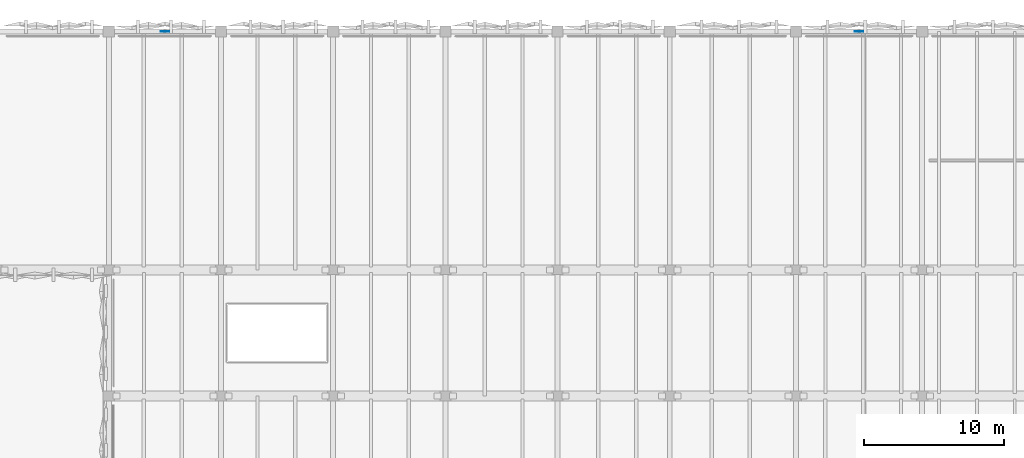
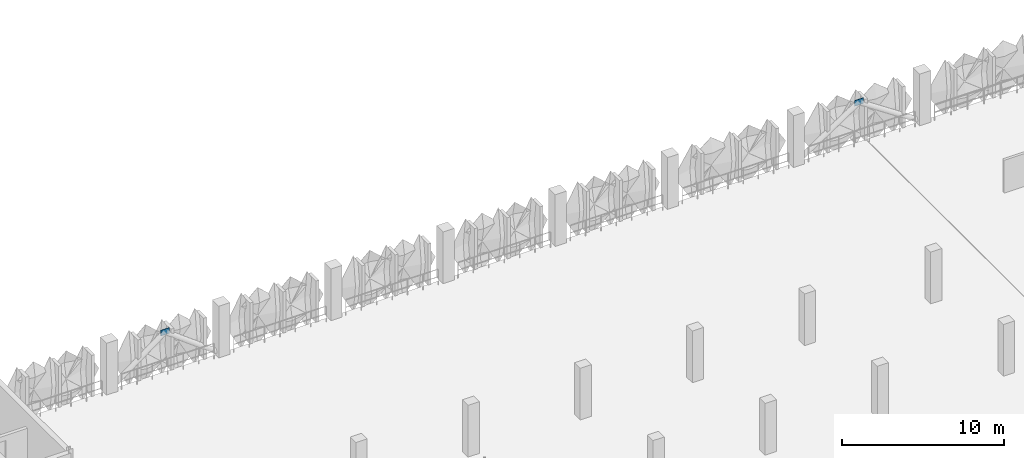
# One storey, part 47 of 96: 2 plates.
"""IFC4 building model written with IfcOpenShell, lengths in metres."""

from ifc_helpers import new_model, si_unit, derived_unit, direction, frame, origin, origin_2d, place, context, subcontext, project, spatial, rectangle, extrude, material, layer, layer_set, type_object, element, save


model = new_model("IFC4")

# Units and contexts
model_context = context("Model", 3, precision=1e-05, world=origin(), true_north=direction((0.0, 1.0)))
body_context = subcontext(model_context, "Body", "Model", "MODEL_VIEW")
ifc_project = project(units=[si_unit("LENGTHUNIT", "METRE"), si_unit("AREAUNIT", "SQUARE_METRE"), si_unit("VOLUMEUNIT", "CUBIC_METRE"), si_unit("PLANEANGLEUNIT", "RADIAN"), si_unit("MASSUNIT", "GRAM", prefix="KILO"), si_unit("THERMODYNAMICTEMPERATUREUNIT", "KELVIN"), derived_unit("THERMALTRANSMITTANCEUNIT", [(si_unit("POWERUNIT", "WATT"), 1), (si_unit("AREAUNIT", "SQUARE_METRE"), -1), (si_unit("THERMODYNAMICTEMPERATUREUNIT", "KELVIN"), -1)])], contexts=[model_context])

# Site, building, storey
site_placement = place(None, origin())
site = spatial("IfcSite", under=ifc_project, at=site_placement, CompositionType="ELEMENT")
building_placement = place(site_placement, origin())
building = spatial("IfcBuilding", under=site, at=building_placement, Name="Haiyu Intermodal Mobility Hub", CompositionType="ELEMENT")
storey_placement = place(building_placement, frame((0.0, 0.0, 9.5)))
storey = spatial("IfcBuildingStorey", under=building, at=storey_placement, Name="L02", CompositionType="ELEMENT", Elevation=9.5)

# Plates
ifc_material = material(Name="Steel Q355C", Category="steel")
ifc_layer = layer(ifc_material, 0.033935546875)
ifc_layer_set = layer_set([ifc_layer], Name="Steel Q355C")
plate_type = type_object("IfcPlateType", Name="PLT-GP04", PredefinedType="USERDEFINED", material=ifc_layer_set)
for number, where, z_axis, x_axis, name in (
    (1, (42.0, 148.0, 2.7900390625), (0.0, 0.0, 1.0), (1.0, 0.0, 0.0), "Chevron Brace Apex Gusset GP-B082"),
    (2, (91.5, 148.0, 2.7900390625), (0.0, 0.0, 1.0), (1.0, 0.0, 0.0), "Chevron Brace Apex Gusset GP-B087"),
):
    element("IfcPlate", number, at=place(storey_placement, frame(where, z_axis=z_axis, x_axis=x_axis)), inside=storey, type_object=plate_type, Name=name, ObjectType="GUSSET PLATE", PredefinedType="USERDEFINED", context=body_context, shape_type="SweptSolid", body=[
        extrude(rectangle(XDim=0.6201171875, YDim=0.033935546875, at=origin_2d()), origin(), (0.0, 0.0, 1.0), 0.419921875),
    ])

save(model, "model.ifc")
